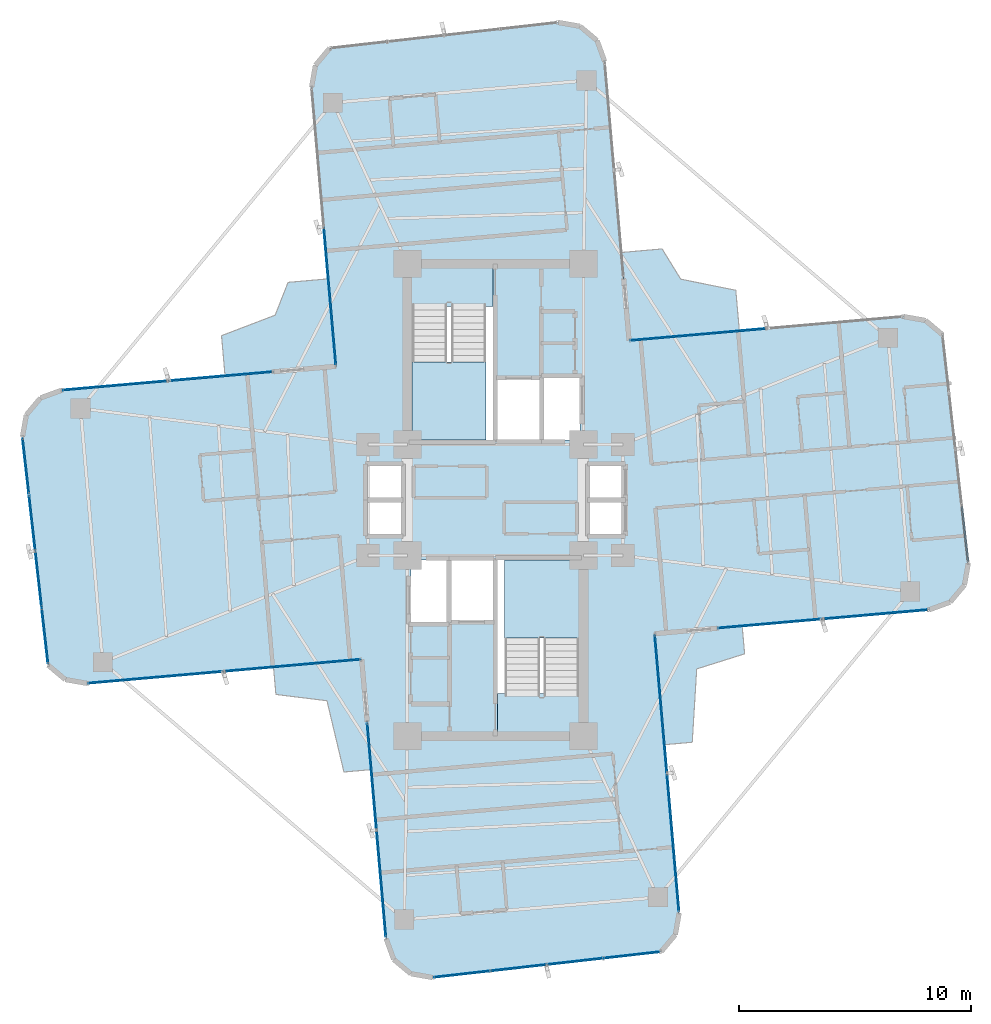
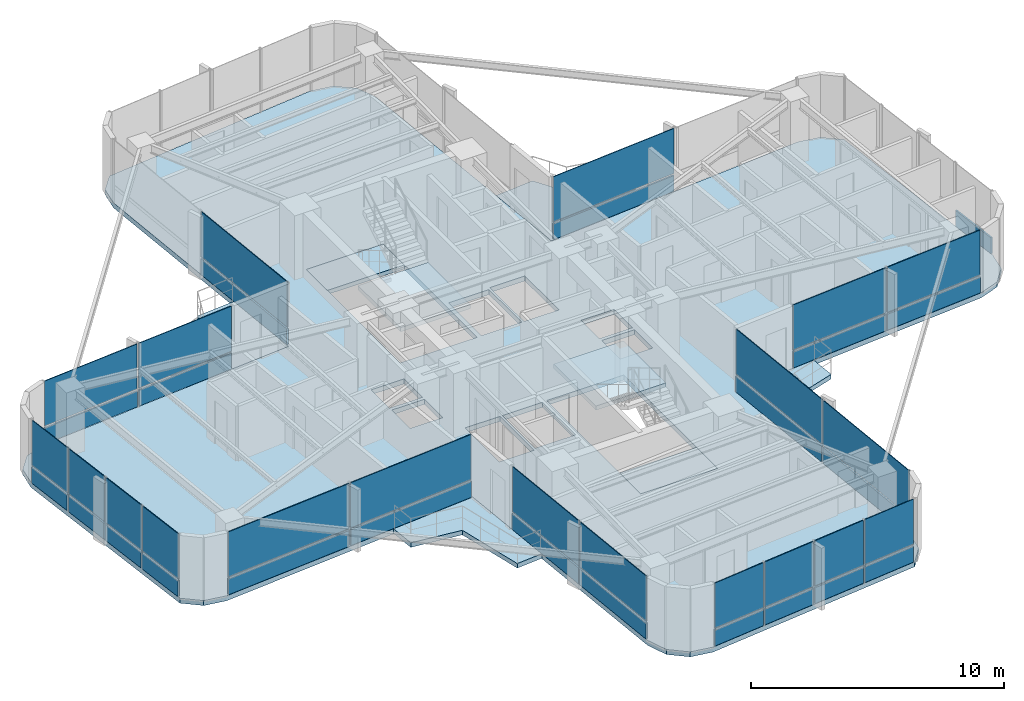
# One storey, part 19 of 24: 41 plates, 9 slabs, 12 elements without a shape of their own.
"""IFC4 building model written with IfcOpenShell, lengths in metres."""

from ifc_helpers import new_model, si_unit, direction, frame, origin, origin_2d, place, context, subcontext, project, spatial, polyline, rectangle, outline, extrude, source, transform, mapped, material, layer, layer_set, type_object, element, aggregate, save


model = new_model("IFC4")

# Units and contexts
model_context = context("Model", 3, precision=1e-05, world=origin(), true_north=direction((0.0, 1.0)))
body_context = subcontext(model_context, "Body", "Model", "MODEL_VIEW")
ifc_project = project(units=[si_unit("LENGTHUNIT", "METRE"), si_unit("AREAUNIT", "SQUARE_METRE"), si_unit("VOLUMEUNIT", "CUBIC_METRE"), si_unit("PLANEANGLEUNIT", "RADIAN"), si_unit("MASSUNIT", "GRAM", prefix="KILO")], contexts=[model_context])

# Site, building, storey
site_placement = place(None, origin())
site = spatial("IfcSite", under=ifc_project, at=site_placement, CompositionType="ELEMENT")
building_placement = place(site_placement, origin())
building = spatial("IfcBuilding", under=site, at=building_placement, Name="Sahyath Konkavel Grand Hotel", CompositionType="ELEMENT")
storey_placement = place(building_placement, frame((0.0, 0.0, 191.949951171875)))
storey = spatial("IfcBuildingStorey", under=building, at=storey_placement, Name="L53", CompositionType="ELEMENT", Elevation=191.949951171875)

# Slabs
ifc_material_1 = material(Name="Concrete C40/50", Category="concrete")
ifc_layer_1 = layer(ifc_material_1, 0.239990234375)
ifc_layer_set_1 = layer_set([ifc_layer_1], Name="Concrete C40/50")
slab_type_1 = type_object("IfcSlabType", Name="SLB-240", PredefinedType="FLOOR", material=ifc_layer_set_1)
slab_1_placement = place(storey_placement, frame((0.0, 0.0, -0.239990234375)))
element("IfcSlab", 1, at=slab_1_placement, inside=storey, type_object=slab_type_1, Name="L53 Structural Floor Slab", PredefinedType="FLOOR", context=body_context, shape_type="SweptSolid", body=[
    extrude(outline(polyline([(6.87939453125, -5.7724609375), (18.73388671875, -4.735107421875), (19.6337890625, -4.40771484375), (20.24951171875, -3.674072265625), (20.415771484375, -2.73095703125), (19.3037109375, 7.134521484375), (18.5703125, 7.75), (17.627197265625, 7.91650390625), (5.7724609375, 6.87939453125), (4.7177734375, 18.93310546875), (4.390380859375, 19.8330078125), (3.65673828125, 20.44873046875), (2.713623046875, 20.614990234375), (-7.152099609375, 19.5029296875), (-7.767578125, 18.769287109375), (-7.933837890625, 17.826416015625), (-6.87939453125, 5.7724609375), (-18.73388671875, 4.735107421875), (-19.6337890625, 4.40771484375), (-20.24951171875, 3.674072265625), (-20.415771484375, 2.73095703125), (-19.3037109375, -7.134521484375), (-18.5703125, -7.75), (-17.627197265625, -7.91650390625), (-5.7724609375, -6.87939453125), (-4.7177734375, -18.93310546875), (-4.390380859375, -19.8330078125), (-3.65673828125, -20.44873046875), (-2.713623046875, -20.614990234375), (7.152099609375, -19.5029296875), (7.767578125, -18.769287109375), (7.933837890625, -17.826416015625), (6.87939453125, -5.7724609375)]), holes=[polyline([(-3.6201171875, 2.580078125), (-0.10009765625, 2.580078125), (-0.10009765625, 10.02001953125), (-3.6201171875, 10.02001953125), (-3.6201171875, 2.580078125)]), polyline([(0.10009765625, -10.02001953125), (3.6201171875, -10.02001953125), (3.6201171875, -2.580078125), (0.10009765625, -2.580078125), (0.10009765625, -10.02001953125)]), polyline([(0.10009765625, 2.60009765625), (1.949951171875, 2.60009765625), (1.949951171875, 5.199951171875), (0.10009765625, 5.199951171875), (0.10009765625, 2.60009765625)]), polyline([(-1.949951171875, -5.199951171875), (-0.10009765625, -5.199951171875), (-0.10009765625, -2.60009765625), (-1.949951171875, -2.60009765625), (-1.949951171875, -5.199951171875)]), polyline([(2.050048828125, 2.60009765625), (3.64990234375, 2.60009765625), (3.64990234375, 5.300048828125), (2.050048828125, 5.300048828125), (2.050048828125, 2.60009765625)]), polyline([(-3.64990234375, -5.300048828125), (-2.050048828125, -5.300048828125), (-2.050048828125, -2.60009765625), (-3.64990234375, -2.60009765625), (-3.64990234375, -5.300048828125)]), polyline([(4.050048828125, 0.080078125), (5.550048828125, 0.080078125), (5.550048828125, 1.5400390625), (4.050048828125, 1.5400390625), (4.050048828125, 0.080078125)]), polyline([(4.050048828125, -1.5400390625), (5.550048828125, -1.5400390625), (5.550048828125, -0.080078125), (4.050048828125, -0.080078125), (4.050048828125, -1.5400390625)]), polyline([(-5.550048828125, 0.080078125), (-4.050048828125, 0.080078125), (-4.050048828125, 1.5400390625), (-5.550048828125, 1.5400390625), (-5.550048828125, 0.080078125)]), polyline([(-5.550048828125, -1.5400390625), (-4.050048828125, -1.5400390625), (-4.050048828125, -0.080078125), (-5.550048828125, -0.080078125), (-5.550048828125, -1.5400390625)])]), origin(), (0.0, 0.0, 1.0), 0.239990234375),
])
ifc_layer_2 = layer(ifc_material_1, 0.219970703125)
ifc_layer_set_2 = layer_set([ifc_layer_2], Name="Concrete C40/50")
slab_type_2 = type_object("IfcSlabType", Name="SLB-BALCONY-220", PredefinedType="FLOOR", material=ifc_layer_set_2)
slab_2_placement = place(storey_placement, frame((0.0, 0.0, -0.219970703125)))
element("IfcSlab", 2, at=slab_2_placement, inside=storey, type_object=slab_type_2, Name="L53 Winter-Garden Balcony NE", PredefinedType="FLOOR", context=body_context, shape_type="SweptSolid", body=[
    extrude(outline(polyline([(5.7724609375, 6.87939453125), (10.533203125, 7.2958984375), (10.37939453125, 9.0537109375), (8.00048828125, 9.53466796875), (7.197509765625, 10.839599609375), (5.439453125, 10.685791015625), (5.7724609375, 6.87939453125)])), origin(), (0.0, 0.0, 1.0), 0.219970703125),
])
slab_3_placement = place(storey_placement, frame((0.0, 0.0, -0.219970703125)))
element("IfcSlab", 3, at=slab_3_placement, inside=storey, type_object=slab_type_2, Name="L53 Winter-Garden Balcony NW", PredefinedType="FLOOR", context=body_context, shape_type="SweptSolid", body=[
    extrude(outline(polyline([(-6.87939453125, 5.7724609375), (-7.209716796875, 9.548095703125), (-8.950439453125, 9.395751953125), (-9.508544921875, 7.978515625), (-11.8232421875, 7.093994140625), (-11.6708984375, 5.353271484375), (-6.87939453125, 5.7724609375)])), origin(), (0.0, 0.0, 1.0), 0.219970703125),
])
slab_4_placement = place(storey_placement, frame((0.0, 0.0, -0.219970703125)))
element("IfcSlab", 4, at=slab_4_placement, inside=storey, type_object=slab_type_2, Name="L53 Winter-Garden Balcony SW", PredefinedType="FLOOR", context=body_context, shape_type="SweptSolid", body=[
    extrude(outline(polyline([(-5.7724609375, -6.87939453125), (-9.578857421875, -7.21240234375), (-9.475341796875, -8.39501953125), (-7.271484375, -8.665771484375), (-6.53857421875, -11.74365234375), (-5.35595703125, -11.64013671875), (-5.7724609375, -6.87939453125)])), origin(), (0.0, 0.0, 1.0), 0.219970703125),
])
slab_5_placement = place(storey_placement, frame((0.0, 0.0, -0.219970703125)))
element("IfcSlab", 5, at=slab_5_placement, inside=storey, type_object=slab_type_2, Name="L53 Winter-Garden Balcony SE", PredefinedType="FLOOR", context=body_context, shape_type="SweptSolid", body=[
    extrude(outline(polyline([(6.87939453125, -5.7724609375), (7.298583984375, -10.564208984375), (8.49853515625, -10.458984375), (8.691650390625, -7.293212890625), (10.759765625, -6.64208984375), (10.65478515625, -5.442138671875), (6.87939453125, -5.7724609375)])), origin(), (0.0, 0.0, 1.0), 0.219970703125),
])

# Stair, slab
stair_type = type_object("IfcStairType", Name="STR-ST16-335", PredefinedType="HALF_TURN_STAIR", material=ifc_material_1)
stair_1_placement = place(storey_placement, origin())
stair_1 = element("IfcStair", 6, at=stair_1_placement, inside=storey, type_object=stair_type, Name="L53 North Core Smokeproof Exit Stair ST-1", PredefinedType="HALF_TURN_STAIR")
ifc_layer_3 = layer(ifc_material_1, 0.199951171875)
ifc_layer_set_3 = layer_set([ifc_layer_3], Name="Concrete C40/50")
slab_type_3 = type_object("IfcSlabType", Name="SLB-STAIR-LND", PredefinedType="LANDING", material=ifc_layer_set_3)
slab_6_placement = place(storey_placement, frame((0.0, 0.0, 1.47509765625)))
slab_6 = element("IfcSlab", 7, at=slab_6_placement, type_object=slab_type_3, Name="ST-1 landing 1", PredefinedType="LANDING", context=body_context, shape_type="SweptSolid", body=[
    extrude(outline(polyline([(-3.60009765625, 5.9599609375), (-3.60009765625, 2.60009765625), (-0.39990234375, 2.60009765625), (-0.39990234375, 5.9599609375), (-3.60009765625, 5.9599609375)])), origin(), (0.0, 0.0, 1.0), 0.199951171875),
])
aggregate(stair_1, [slab_6])

stair_2_placement = place(storey_placement, origin())
stair_2 = element("IfcStair", 8, at=stair_2_placement, inside=storey, type_object=stair_type, Name="L53 South Core Smokeproof Exit Stair ST-2", PredefinedType="HALF_TURN_STAIR")
slab_7_placement = place(storey_placement, frame((0.0, 0.0, 1.47509765625)))
slab_7 = element("IfcSlab", 9, at=slab_7_placement, type_object=slab_type_3, Name="ST-2 landing 1", PredefinedType="LANDING", context=body_context, shape_type="SweptSolid", body=[
    extrude(outline(polyline([(3.60009765625, -5.9599609375), (3.60009765625, -2.60009765625), (0.39990234375, -2.60009765625), (0.39990234375, -5.9599609375), (3.60009765625, -5.9599609375)])), origin(), (0.0, 0.0, 1.0), 0.199951171875),
])
aggregate(stair_2, [slab_7])

# Slabs
slab_8_placement = place(storey_placement, frame((0.0, 0.0, -0.199951171875)))
element("IfcSlab", 10, at=slab_8_placement, inside=storey, type_object=slab_type_3, Name="L53 Stair ST-1 Floor Landing Slab", PredefinedType="LANDING", context=body_context, shape_type="SweptSolid", body=[
    extrude(outline(polyline([(-3.6201171875, 8.35009765625), (-0.10009765625, 8.35009765625), (-0.10009765625, 10.02001953125), (-3.6201171875, 10.02001953125), (-3.6201171875, 8.35009765625)])), origin(), (0.0, 0.0, 1.0), 0.199951171875),
])
slab_9_placement = place(storey_placement, frame((0.0, 0.0, -0.199951171875)))
element("IfcSlab", 11, at=slab_9_placement, inside=storey, type_object=slab_type_3, Name="L53 Stair ST-2 Floor Landing Slab", PredefinedType="LANDING", context=body_context, shape_type="SweptSolid", body=[
    extrude(outline(polyline([(0.10009765625, -10.02001953125), (3.6201171875, -10.02001953125), (3.6201171875, -8.35009765625), (0.10009765625, -8.35009765625), (0.10009765625, -10.02001953125)])), origin(), (0.0, 0.0, 1.0), 0.199951171875),
])

# Curtain wall, plates
ifc_material_2 = material(Name="Anodised Bronze Aluminium & Low-E Glazing", Category="aluminium")
curtain_wall_type = type_object("IfcCurtainWallType", Name="CW-ZONE3", PredefinedType="NOTDEFINED", material=ifc_material_2)
curtain_wall_1_placement = place(storey_placement, origin())
curtain_wall_1 = element("IfcCurtainWall", 12, at=curtain_wall_1_placement, inside=storey, type_object=curtain_wall_type, Name="L53 Unitised Curtain Wall F0", PredefinedType="NOTDEFINED")
ifc_material_3 = material(Name="Warm Buff Sandstone Cladding", Category="masonry")
ifc_layer_4 = layer(ifc_material_3, 0.074951171875)
ifc_layer_set_4 = layer_set([ifc_layer_4], Name="Warm Buff Sandstone Cladding")
plate_type_1 = type_object("IfcPlateType", Name="PNL-SPANDREL-STONE", PredefinedType="SHEET", material=ifc_layer_set_4)
shared_shape_1 = source(origin(), body_context, "Body", "SweptSolid", [
    extrude(rectangle(XDim=4.47998046875, YDim=0.074951171875, at=origin_2d()), origin(), (0.0, 0.0, 1.0), 0.77001953125),
])
plate_1_placement = place(storey_placement, frame((11.880126953125, -5.334716796875, 0.0400390625), z_axis=(0.0, 0.0, 1.0), x_axis=(0.996194698092, 0.087155742748, 0.0)))
plate_1 = element("IfcPlate", 13, at=plate_1_placement, type_object=plate_type_1, Name="L53 Sandstone Relief Spandrel Panel F0-0", PredefinedType="SHEET", context=body_context, shape_type="MappedRepresentation", body=[
    mapped(shared_shape_1, transform((0.0, 0.0, 0.0), scale=1.0)),
])
plate_2_placement = place(storey_placement, frame((16.4228515625, -4.9375, 0.0400390625), z_axis=(0.0, 0.0, 1.0), x_axis=(0.996194698092, 0.087155742748, 0.0)))
plate_2 = element("IfcPlate", 14, at=plate_2_placement, type_object=plate_type_1, Name="L53 Sandstone Relief Spandrel Panel F0-1", PredefinedType="SHEET", context=body_context, shape_type="MappedRepresentation", body=[
    mapped(shared_shape_1, transform((0.0, 0.0, 0.0), scale=1.0)),
])

curtain_wall_2_placement = place(storey_placement, origin())
curtain_wall_2 = element("IfcCurtainWall", 15, at=curtain_wall_2_placement, inside=storey, type_object=curtain_wall_type, Name="L53 Unitised Curtain Wall F16", PredefinedType="NOTDEFINED")
plate_3_placement = place(storey_placement, frame((-11.880126953125, 5.334716796875, 0.0400390625), z_axis=(0.0, 0.0, 1.0), x_axis=(-0.996194698092, -0.087155742748, 0.0)))
plate_3 = element("IfcPlate", 16, at=plate_3_placement, type_object=plate_type_1, Name="L53 Sandstone Relief Spandrel Panel F16-0", PredefinedType="SHEET", context=body_context, shape_type="MappedRepresentation", body=[
    mapped(shared_shape_1, transform((0.0, 0.0, 0.0), scale=1.0)),
])
plate_4_placement = place(storey_placement, frame((-16.4228515625, 4.9375, 0.0400390625), z_axis=(0.0, 0.0, 1.0), x_axis=(-0.996194698092, -0.087155742748, 0.0)))
plate_4 = element("IfcPlate", 17, at=plate_4_placement, type_object=plate_type_1, Name="L53 Sandstone Relief Spandrel Panel F16-1", PredefinedType="SHEET", context=body_context, shape_type="MappedRepresentation", body=[
    mapped(shared_shape_1, transform((0.0, 0.0, 0.0), scale=1.0)),
])

# Curtain wall, plate
curtain_wall_3_placement = place(storey_placement, origin())
curtain_wall_3 = element("IfcCurtainWall", 18, at=curtain_wall_3_placement, inside=storey, type_object=curtain_wall_type, Name="L53 Unitised Curtain Wall F4", PredefinedType="NOTDEFINED")
shared_shape_2 = source(origin(), body_context, "Body", "SweptSolid", [
    extrude(rectangle(XDim=2.382080078125, YDim=0.074951171875, at=origin_2d()), origin(), (0.0, 0.0, 1.0), 0.77001953125),
])
plate_5_placement = place(storey_placement, frame((20.2734375, -1.468017578125, 0.0400390625), z_axis=(0.0, 0.0, 1.0), x_axis=(-0.111989252568, 0.993709417943, 0.0)))
plate_5 = element("IfcPlate", 19, at=plate_5_placement, type_object=plate_type_1, Name="L53 Sandstone Relief Spandrel Panel F4-0", PredefinedType="SHEET", context=body_context, shape_type="MappedRepresentation", body=[
    mapped(shared_shape_2, transform((0.0, 0.0, 0.0), scale=1.0)),
])
aggregate(curtain_wall_3, [plate_5])

# Curtain wall, plates
curtain_wall_4_placement = place(storey_placement, origin())
curtain_wall_4 = element("IfcCurtainWall", 20, at=curtain_wall_4_placement, inside=storey, type_object=curtain_wall_type, Name="L53 Unitised Curtain Wall F20", PredefinedType="NOTDEFINED")
plate_6_placement = place(storey_placement, frame((-20.2734375, 1.468017578125, 0.0400390625), z_axis=(0.0, 0.0, 1.0), x_axis=(0.111989252568, -0.993709417943, 0.0)))
plate_6 = element("IfcPlate", 21, at=plate_6_placement, type_object=plate_type_1, Name="L53 Sandstone Relief Spandrel Panel F20-0", PredefinedType="SHEET", context=body_context, shape_type="MappedRepresentation", body=[
    mapped(shared_shape_2, transform((0.0, 0.0, 0.0), scale=1.0)),
])
plate_7_placement = place(storey_placement, frame((-19.99755859375, -0.978515625, 0.0400390625), z_axis=(0.0, 0.0, 1.0), x_axis=(0.111989252568, -0.993709417943, 0.0)))
plate_7 = element("IfcPlate", 22, at=plate_7_placement, type_object=plate_type_1, Name="L53 Sandstone Relief Spandrel Panel F20-1", PredefinedType="SHEET", context=body_context, shape_type="MappedRepresentation", body=[
    mapped(shared_shape_2, transform((0.0, 0.0, 0.0), scale=1.0)),
])
plate_8_placement = place(storey_placement, frame((-19.7216796875, -3.425048828125, 0.0400390625), z_axis=(0.0, 0.0, 1.0), x_axis=(0.111989252568, -0.993709417943, 0.0)))
plate_8 = element("IfcPlate", 23, at=plate_8_placement, type_object=plate_type_1, Name="L53 Sandstone Relief Spandrel Panel F20-2", PredefinedType="SHEET", context=body_context, shape_type="MappedRepresentation", body=[
    mapped(shared_shape_2, transform((0.0, 0.0, 0.0), scale=1.0)),
])
plate_9_placement = place(storey_placement, frame((-19.446044921875, -5.87158203125, 0.0400390625), z_axis=(0.0, 0.0, 1.0), x_axis=(0.111989252568, -0.993709417943, 0.0)))
plate_9 = element("IfcPlate", 24, at=plate_9_placement, type_object=plate_type_1, Name="L53 Sandstone Relief Spandrel Panel F20-3", PredefinedType="SHEET", context=body_context, shape_type="MappedRepresentation", body=[
    mapped(shared_shape_2, transform((0.0, 0.0, 0.0), scale=1.0)),
])

curtain_wall_5_placement = place(storey_placement, origin())
curtain_wall_5 = element("IfcCurtainWall", 25, at=curtain_wall_5_placement, inside=storey, type_object=curtain_wall_type, Name="L53 Unitised Curtain Wall F28", PredefinedType="NOTDEFINED")
plate_10_placement = place(storey_placement, frame((-1.45068359375, -20.47265625, 0.0400390625), z_axis=(0.0, 0.0, 1.0), x_axis=(0.993707463211, 0.112006596052, 0.0)))
plate_10 = element("IfcPlate", 26, at=plate_10_placement, type_object=plate_type_1, Name="L53 Sandstone Relief Spandrel Panel F28-0", PredefinedType="SHEET", context=body_context, shape_type="MappedRepresentation", body=[
    mapped(shared_shape_2, transform((0.0, 0.0, 0.0), scale=1.0)),
])
plate_11_placement = place(storey_placement, frame((0.995849609375, -20.197021484375, 0.0400390625), z_axis=(0.0, 0.0, 1.0), x_axis=(0.993707463211, 0.112006596052, 0.0)))
plate_11 = element("IfcPlate", 27, at=plate_11_placement, type_object=plate_type_1, Name="L53 Sandstone Relief Spandrel Panel F28-1", PredefinedType="SHEET", context=body_context, shape_type="MappedRepresentation", body=[
    mapped(shared_shape_2, transform((0.0, 0.0, 0.0), scale=1.0)),
])
plate_12_placement = place(storey_placement, frame((3.4423828125, -19.921142578125, 0.0400390625), z_axis=(0.0, 0.0, 1.0), x_axis=(0.993707463211, 0.112006596052, 0.0)))
plate_12 = element("IfcPlate", 28, at=plate_12_placement, type_object=plate_type_1, Name="L53 Sandstone Relief Spandrel Panel F28-2", PredefinedType="SHEET", context=body_context, shape_type="MappedRepresentation", body=[
    mapped(shared_shape_2, transform((0.0, 0.0, 0.0), scale=1.0)),
])
plate_13_placement = place(storey_placement, frame((5.888916015625, -19.6455078125, 0.0400390625), z_axis=(0.0, 0.0, 1.0), x_axis=(0.993707463211, 0.112006596052, 0.0)))
plate_13 = element("IfcPlate", 29, at=plate_13_placement, type_object=plate_type_1, Name="L53 Sandstone Relief Spandrel Panel F28-3", PredefinedType="SHEET", context=body_context, shape_type="MappedRepresentation", body=[
    mapped(shared_shape_2, transform((0.0, 0.0, 0.0), scale=1.0)),
])

# Curtain wall, plate
curtain_wall_6_placement = place(storey_placement, origin())
curtain_wall_6 = element("IfcCurtainWall", 30, at=curtain_wall_6_placement, inside=storey, type_object=curtain_wall_type, Name="L53 Unitised Curtain Wall F7", PredefinedType="NOTDEFINED")
shared_shape_3 = source(origin(), body_context, "Body", "SweptSolid", [
    extrude(rectangle(XDim=5.830078125, YDim=0.074951171875, at=origin_2d()), origin(), (0.0, 0.0, 1.0), 0.77001953125),
])
plate_14_placement = place(storey_placement, frame((8.756103515625, 7.140380859375, 0.0400390625), z_axis=(0.0, 0.0, 1.0), x_axis=(-0.996194698092, -0.087155742748, 0.0)))
plate_14 = element("IfcPlate", 31, at=plate_14_placement, type_object=plate_type_1, Name="L53 Sandstone Relief Spandrel Panel F7-1", PredefinedType="SHEET", context=body_context, shape_type="MappedRepresentation", body=[
    mapped(shared_shape_3, transform((0.0, 0.0, 0.0), scale=1.0)),
])

# Curtain wall, plates
curtain_wall_7_placement = place(storey_placement, origin())
curtain_wall_7 = element("IfcCurtainWall", 32, at=curtain_wall_7_placement, inside=storey, type_object=curtain_wall_type, Name="L53 Unitised Curtain Wall F23", PredefinedType="NOTDEFINED")
plate_15_placement = place(storey_placement, frame((-14.6435546875, -7.655517578125, 0.0400390625), z_axis=(0.0, 0.0, 1.0), x_axis=(0.996194698092, 0.087155742748, 0.0)))
plate_15 = element("IfcPlate", 33, at=plate_15_placement, type_object=plate_type_1, Name="L53 Sandstone Relief Spandrel Panel F23-0", PredefinedType="SHEET", context=body_context, shape_type="MappedRepresentation", body=[
    mapped(shared_shape_3, transform((0.0, 0.0, 0.0), scale=1.0)),
])
plate_16_placement = place(storey_placement, frame((-8.756103515625, -7.140380859375, 0.0400390625), z_axis=(0.0, 0.0, 1.0), x_axis=(0.996194698092, 0.087155742748, 0.0)))
plate_16 = element("IfcPlate", 34, at=plate_16_placement, type_object=plate_type_1, Name="L53 Sandstone Relief Spandrel Panel F23-1", PredefinedType="SHEET", context=body_context, shape_type="MappedRepresentation", body=[
    mapped(shared_shape_3, transform((0.0, 0.0, 0.0), scale=1.0)),
])

curtain_wall_8_placement = place(storey_placement, origin())
curtain_wall_8 = element("IfcCurtainWall", 35, at=curtain_wall_8_placement, inside=storey, type_object=curtain_wall_type, Name="L53 Unitised Curtain Wall F24", PredefinedType="NOTDEFINED")
shared_shape_4 = source(origin(), body_context, "Body", "SweptSolid", [
    extrude(rectangle(XDim=4.580078125, YDim=0.074951171875, at=origin_2d()), origin(), (0.0, 0.0, 1.0), 0.77001953125),
])
plate_17_placement = place(storey_placement, frame((-5.33056640625, -11.929931640625, 0.0400390625), z_axis=(0.0, 0.0, 1.0), x_axis=(0.087155742748, -0.996194698092, 0.0)))
plate_17 = element("IfcPlate", 36, at=plate_17_placement, type_object=plate_type_1, Name="L53 Sandstone Relief Spandrel Panel F24-0", PredefinedType="SHEET", context=body_context, shape_type="MappedRepresentation", body=[
    mapped(shared_shape_4, transform((0.0, 0.0, 0.0), scale=1.0)),
])
plate_18_placement = place(storey_placement, frame((-4.92431640625, -16.572265625, 0.0400390625), z_axis=(0.0, 0.0, 1.0), x_axis=(0.087155742748, -0.996194698092, 0.0)))
plate_18 = element("IfcPlate", 37, at=plate_18_placement, type_object=plate_type_1, Name="L53 Sandstone Relief Spandrel Panel F24-1", PredefinedType="SHEET", context=body_context, shape_type="MappedRepresentation", body=[
    mapped(shared_shape_4, transform((0.0, 0.0, 0.0), scale=1.0)),
])

# Curtain wall, plate
curtain_wall_9_placement = place(storey_placement, origin())
curtain_wall_9 = element("IfcCurtainWall", 38, at=curtain_wall_9_placement, inside=storey, type_object=curtain_wall_type, Name="L53 Unitised Curtain Wall F15", PredefinedType="NOTDEFINED")
shared_shape_5 = source(origin(), body_context, "Body", "SweptSolid", [
    extrude(rectangle(XDim=5.929931640625, YDim=0.074951171875, at=origin_2d()), origin(), (0.0, 0.0, 1.0), 0.77001953125),
])
plate_19_placement = place(storey_placement, frame((-7.144775390625, 8.805908203125, 0.0400390625), z_axis=(0.0, 0.0, 1.0), x_axis=(0.087155742748, -0.996194698092, 0.0)))
plate_19 = element("IfcPlate", 39, at=plate_19_placement, type_object=plate_type_1, Name="L53 Sandstone Relief Spandrel Panel F15-1", PredefinedType="SHEET", context=body_context, shape_type="MappedRepresentation", body=[
    mapped(shared_shape_5, transform((0.0, 0.0, 0.0), scale=1.0)),
])

# Curtain wall, plates
curtain_wall_10_placement = place(storey_placement, origin())
curtain_wall_10 = element("IfcCurtainWall", 40, at=curtain_wall_10_placement, inside=storey, type_object=curtain_wall_type, Name="L53 Unitised Curtain Wall F31", PredefinedType="NOTDEFINED")
plate_20_placement = place(storey_placement, frame((7.66845703125, -14.79296875, 0.0400390625), z_axis=(0.0, 0.0, 1.0), x_axis=(-0.087155742748, 0.996194698092, 0.0)))
plate_20 = element("IfcPlate", 41, at=plate_20_placement, type_object=plate_type_1, Name="L53 Sandstone Relief Spandrel Panel F31-0", PredefinedType="SHEET", context=body_context, shape_type="MappedRepresentation", body=[
    mapped(shared_shape_5, transform((0.0, 0.0, 0.0), scale=1.0)),
])
plate_21_placement = place(storey_placement, frame((7.144775390625, -8.805908203125, 0.0400390625), z_axis=(0.0, 0.0, 1.0), x_axis=(-0.087155742748, 0.996194698092, 0.0)))
plate_21 = element("IfcPlate", 42, at=plate_21_placement, type_object=plate_type_1, Name="L53 Sandstone Relief Spandrel Panel F31-1", PredefinedType="SHEET", context=body_context, shape_type="MappedRepresentation", body=[
    mapped(shared_shape_5, transform((0.0, 0.0, 0.0), scale=1.0)),
])

# Plate
ifc_material_4 = material(Name="Low-E Solar Control Double Glazing", Category="glass")
ifc_layer_5 = layer(ifc_material_4, 0.035888671875)
ifc_layer_set_5 = layer_set([ifc_layer_5], Name="Low-E Solar Control Double Glazing")
plate_type_2 = type_object("IfcPlateType", Name="PNL-VISION-LOWE", PredefinedType="CURTAIN_PANEL", material=ifc_layer_set_5)
shared_shape_6 = source(origin(), body_context, "Body", "SweptSolid", [
    extrude(rectangle(XDim=4.47998046875, YDim=0.035888671875, at=origin_2d()), origin(), (0.0, 0.0, 1.0), 2.179931640625),
])
plate_22_placement = place(storey_placement, frame((11.880126953125, -5.334716796875, 0.89013671875), z_axis=(0.0, 0.0, 1.0), x_axis=(0.996194698092, 0.087155742748, 0.0)))
plate_22 = element("IfcPlate", 43, at=plate_22_placement, type_object=plate_type_2, Name="L53 Low-E Vision Glazing Panel F0-0", PredefinedType="CURTAIN_PANEL", context=body_context, shape_type="MappedRepresentation", body=[
    mapped(shared_shape_6, transform((0.0, 0.0, 0.0), scale=1.0)),
])

plate_23_placement = place(storey_placement, frame((16.4228515625, -4.9375, 0.89013671875), z_axis=(0.0, 0.0, 1.0), x_axis=(0.996194698092, 0.087155742748, 0.0)))
plate_23 = element("IfcPlate", 44, at=plate_23_placement, type_object=plate_type_2, Name="L53 Low-E Vision Glazing Panel F0-1", PredefinedType="CURTAIN_PANEL", context=body_context, shape_type="MappedRepresentation", body=[
    mapped(shared_shape_6, transform((0.0, 0.0, 0.0), scale=1.0)),
])

aggregate(curtain_wall_1, [plate_1, plate_22, plate_2, plate_23])

plate_24_placement = place(storey_placement, frame((-11.880126953125, 5.334716796875, 0.89013671875), z_axis=(0.0, 0.0, 1.0), x_axis=(-0.996194698092, -0.087155742748, 0.0)))
plate_24 = element("IfcPlate", 45, at=plate_24_placement, type_object=plate_type_2, Name="L53 Low-E Vision Glazing Panel F16-0", PredefinedType="CURTAIN_PANEL", context=body_context, shape_type="MappedRepresentation", body=[
    mapped(shared_shape_6, transform((0.0, 0.0, 0.0), scale=1.0)),
])

plate_25_placement = place(storey_placement, frame((-16.4228515625, 4.9375, 0.89013671875), z_axis=(0.0, 0.0, 1.0), x_axis=(-0.996194698092, -0.087155742748, 0.0)))
plate_25 = element("IfcPlate", 46, at=plate_25_placement, type_object=plate_type_2, Name="L53 Low-E Vision Glazing Panel F16-1", PredefinedType="CURTAIN_PANEL", context=body_context, shape_type="MappedRepresentation", body=[
    mapped(shared_shape_6, transform((0.0, 0.0, 0.0), scale=1.0)),
])

aggregate(curtain_wall_2, [plate_3, plate_24, plate_4, plate_25])

shared_shape_7 = source(origin(), body_context, "Body", "SweptSolid", [
    extrude(rectangle(XDim=2.382080078125, YDim=0.035888671875, at=origin_2d()), origin(), (0.0, 0.0, 1.0), 2.179931640625),
])
plate_26_placement = place(storey_placement, frame((-20.2734375, 1.468017578125, 0.89013671875), z_axis=(0.0, 0.0, 1.0), x_axis=(0.111989252568, -0.993709417943, 0.0)))
plate_26 = element("IfcPlate", 47, at=plate_26_placement, type_object=plate_type_2, Name="L53 Low-E Vision Glazing Panel F20-0", PredefinedType="CURTAIN_PANEL", context=body_context, shape_type="MappedRepresentation", body=[
    mapped(shared_shape_7, transform((0.0, 0.0, 0.0), scale=1.0)),
])

plate_27_placement = place(storey_placement, frame((-19.99755859375, -0.978515625, 0.89013671875), z_axis=(0.0, 0.0, 1.0), x_axis=(0.111989252568, -0.993709417943, 0.0)))
plate_27 = element("IfcPlate", 48, at=plate_27_placement, type_object=plate_type_2, Name="L53 Low-E Vision Glazing Panel F20-1", PredefinedType="CURTAIN_PANEL", context=body_context, shape_type="MappedRepresentation", body=[
    mapped(shared_shape_7, transform((0.0, 0.0, 0.0), scale=1.0)),
])

plate_28_placement = place(storey_placement, frame((-19.7216796875, -3.425048828125, 0.89013671875), z_axis=(0.0, 0.0, 1.0), x_axis=(0.111989252568, -0.993709417943, 0.0)))
plate_28 = element("IfcPlate", 49, at=plate_28_placement, type_object=plate_type_2, Name="L53 Low-E Vision Glazing Panel F20-2", PredefinedType="CURTAIN_PANEL", context=body_context, shape_type="MappedRepresentation", body=[
    mapped(shared_shape_7, transform((0.0, 0.0, 0.0), scale=1.0)),
])

plate_29_placement = place(storey_placement, frame((-19.446044921875, -5.87158203125, 0.89013671875), z_axis=(0.0, 0.0, 1.0), x_axis=(0.111989252568, -0.993709417943, 0.0)))
plate_29 = element("IfcPlate", 50, at=plate_29_placement, type_object=plate_type_2, Name="L53 Low-E Vision Glazing Panel F20-3", PredefinedType="CURTAIN_PANEL", context=body_context, shape_type="MappedRepresentation", body=[
    mapped(shared_shape_7, transform((0.0, 0.0, 0.0), scale=1.0)),
])

aggregate(curtain_wall_4, [plate_6, plate_26, plate_7, plate_27, plate_8, plate_28, plate_9, plate_29])

plate_30_placement = place(storey_placement, frame((-1.45068359375, -20.47265625, 0.89013671875), z_axis=(0.0, 0.0, 1.0), x_axis=(0.993707463211, 0.112006596052, 0.0)))
plate_30 = element("IfcPlate", 51, at=plate_30_placement, type_object=plate_type_2, Name="L53 Low-E Vision Glazing Panel F28-0", PredefinedType="CURTAIN_PANEL", context=body_context, shape_type="MappedRepresentation", body=[
    mapped(shared_shape_7, transform((0.0, 0.0, 0.0), scale=1.0)),
])

plate_31_placement = place(storey_placement, frame((0.995849609375, -20.197021484375, 0.89013671875), z_axis=(0.0, 0.0, 1.0), x_axis=(0.993707463211, 0.112006596052, 0.0)))
plate_31 = element("IfcPlate", 52, at=plate_31_placement, type_object=plate_type_2, Name="L53 Low-E Vision Glazing Panel F28-1", PredefinedType="CURTAIN_PANEL", context=body_context, shape_type="MappedRepresentation", body=[
    mapped(shared_shape_7, transform((0.0, 0.0, 0.0), scale=1.0)),
])

plate_32_placement = place(storey_placement, frame((3.4423828125, -19.921142578125, 0.89013671875), z_axis=(0.0, 0.0, 1.0), x_axis=(0.993707463211, 0.112006596052, 0.0)))
plate_32 = element("IfcPlate", 53, at=plate_32_placement, type_object=plate_type_2, Name="L53 Low-E Vision Glazing Panel F28-2", PredefinedType="CURTAIN_PANEL", context=body_context, shape_type="MappedRepresentation", body=[
    mapped(shared_shape_7, transform((0.0, 0.0, 0.0), scale=1.0)),
])

plate_33_placement = place(storey_placement, frame((5.888916015625, -19.6455078125, 0.89013671875), z_axis=(0.0, 0.0, 1.0), x_axis=(0.993707463211, 0.112006596052, 0.0)))
plate_33 = element("IfcPlate", 54, at=plate_33_placement, type_object=plate_type_2, Name="L53 Low-E Vision Glazing Panel F28-3", PredefinedType="CURTAIN_PANEL", context=body_context, shape_type="MappedRepresentation", body=[
    mapped(shared_shape_7, transform((0.0, 0.0, 0.0), scale=1.0)),
])

aggregate(curtain_wall_5, [plate_10, plate_30, plate_11, plate_31, plate_12, plate_32, plate_13, plate_33])

shared_shape_8 = source(origin(), body_context, "Body", "SweptSolid", [
    extrude(rectangle(XDim=5.830078125, YDim=0.035888671875, at=origin_2d()), origin(), (0.0, 0.0, 1.0), 2.179931640625),
])
plate_34_placement = place(storey_placement, frame((8.756103515625, 7.140380859375, 0.89013671875), z_axis=(0.0, 0.0, 1.0), x_axis=(-0.996194698092, -0.087155742748, 0.0)))
plate_34 = element("IfcPlate", 55, at=plate_34_placement, type_object=plate_type_2, Name="L53 Low-E Vision Glazing Panel F7-1", PredefinedType="CURTAIN_PANEL", context=body_context, shape_type="MappedRepresentation", body=[
    mapped(shared_shape_8, transform((0.0, 0.0, 0.0), scale=1.0)),
])

aggregate(curtain_wall_6, [plate_14, plate_34])

plate_35_placement = place(storey_placement, frame((-14.6435546875, -7.655517578125, 0.89013671875), z_axis=(0.0, 0.0, 1.0), x_axis=(0.996194698092, 0.087155742748, 0.0)))
plate_35 = element("IfcPlate", 56, at=plate_35_placement, type_object=plate_type_2, Name="L53 Low-E Vision Glazing Panel F23-0", PredefinedType="CURTAIN_PANEL", context=body_context, shape_type="MappedRepresentation", body=[
    mapped(shared_shape_8, transform((0.0, 0.0, 0.0), scale=1.0)),
])

plate_36_placement = place(storey_placement, frame((-8.756103515625, -7.140380859375, 0.89013671875), z_axis=(0.0, 0.0, 1.0), x_axis=(0.996194698092, 0.087155742748, 0.0)))
plate_36 = element("IfcPlate", 57, at=plate_36_placement, type_object=plate_type_2, Name="L53 Low-E Vision Glazing Panel F23-1", PredefinedType="CURTAIN_PANEL", context=body_context, shape_type="MappedRepresentation", body=[
    mapped(shared_shape_8, transform((0.0, 0.0, 0.0), scale=1.0)),
])

aggregate(curtain_wall_7, [plate_15, plate_35, plate_16, plate_36])

shared_shape_9 = source(origin(), body_context, "Body", "SweptSolid", [
    extrude(rectangle(XDim=4.580078125, YDim=0.035888671875, at=origin_2d()), origin(), (0.0, 0.0, 1.0), 2.179931640625),
])
plate_37_placement = place(storey_placement, frame((-5.33056640625, -11.929931640625, 0.89013671875), z_axis=(0.0, 0.0, 1.0), x_axis=(0.087155742748, -0.996194698092, 0.0)))
plate_37 = element("IfcPlate", 58, at=plate_37_placement, type_object=plate_type_2, Name="L53 Low-E Vision Glazing Panel F24-0", PredefinedType="CURTAIN_PANEL", context=body_context, shape_type="MappedRepresentation", body=[
    mapped(shared_shape_9, transform((0.0, 0.0, 0.0), scale=1.0)),
])

plate_38_placement = place(storey_placement, frame((-4.92431640625, -16.572265625, 0.89013671875), z_axis=(0.0, 0.0, 1.0), x_axis=(0.087155742748, -0.996194698092, 0.0)))
plate_38 = element("IfcPlate", 59, at=plate_38_placement, type_object=plate_type_2, Name="L53 Low-E Vision Glazing Panel F24-1", PredefinedType="CURTAIN_PANEL", context=body_context, shape_type="MappedRepresentation", body=[
    mapped(shared_shape_9, transform((0.0, 0.0, 0.0), scale=1.0)),
])

aggregate(curtain_wall_8, [plate_17, plate_37, plate_18, plate_38])

shared_shape_10 = source(origin(), body_context, "Body", "SweptSolid", [
    extrude(rectangle(XDim=5.929931640625, YDim=0.035888671875, at=origin_2d()), origin(), (0.0, 0.0, 1.0), 2.179931640625),
])
plate_39_placement = place(storey_placement, frame((-7.144775390625, 8.805908203125, 0.89013671875), z_axis=(0.0, 0.0, 1.0), x_axis=(0.087155742748, -0.996194698092, 0.0)))
plate_39 = element("IfcPlate", 60, at=plate_39_placement, type_object=plate_type_2, Name="L53 Low-E Vision Glazing Panel F15-1", PredefinedType="CURTAIN_PANEL", context=body_context, shape_type="MappedRepresentation", body=[
    mapped(shared_shape_10, transform((0.0, 0.0, 0.0), scale=1.0)),
])

aggregate(curtain_wall_9, [plate_19, plate_39])

plate_40_placement = place(storey_placement, frame((7.66845703125, -14.79296875, 0.89013671875), z_axis=(0.0, 0.0, 1.0), x_axis=(-0.087155742748, 0.996194698092, 0.0)))
plate_40 = element("IfcPlate", 61, at=plate_40_placement, type_object=plate_type_2, Name="L53 Low-E Vision Glazing Panel F31-0", PredefinedType="CURTAIN_PANEL", context=body_context, shape_type="MappedRepresentation", body=[
    mapped(shared_shape_10, transform((0.0, 0.0, 0.0), scale=1.0)),
])

plate_41_placement = place(storey_placement, frame((7.144775390625, -8.805908203125, 0.89013671875), z_axis=(0.0, 0.0, 1.0), x_axis=(-0.087155742748, 0.996194698092, 0.0)))
plate_41 = element("IfcPlate", 62, at=plate_41_placement, type_object=plate_type_2, Name="L53 Low-E Vision Glazing Panel F31-1", PredefinedType="CURTAIN_PANEL", context=body_context, shape_type="MappedRepresentation", body=[
    mapped(shared_shape_10, transform((0.0, 0.0, 0.0), scale=1.0)),
])

aggregate(curtain_wall_10, [plate_20, plate_40, plate_21, plate_41])

save(model, "model.ifc")
